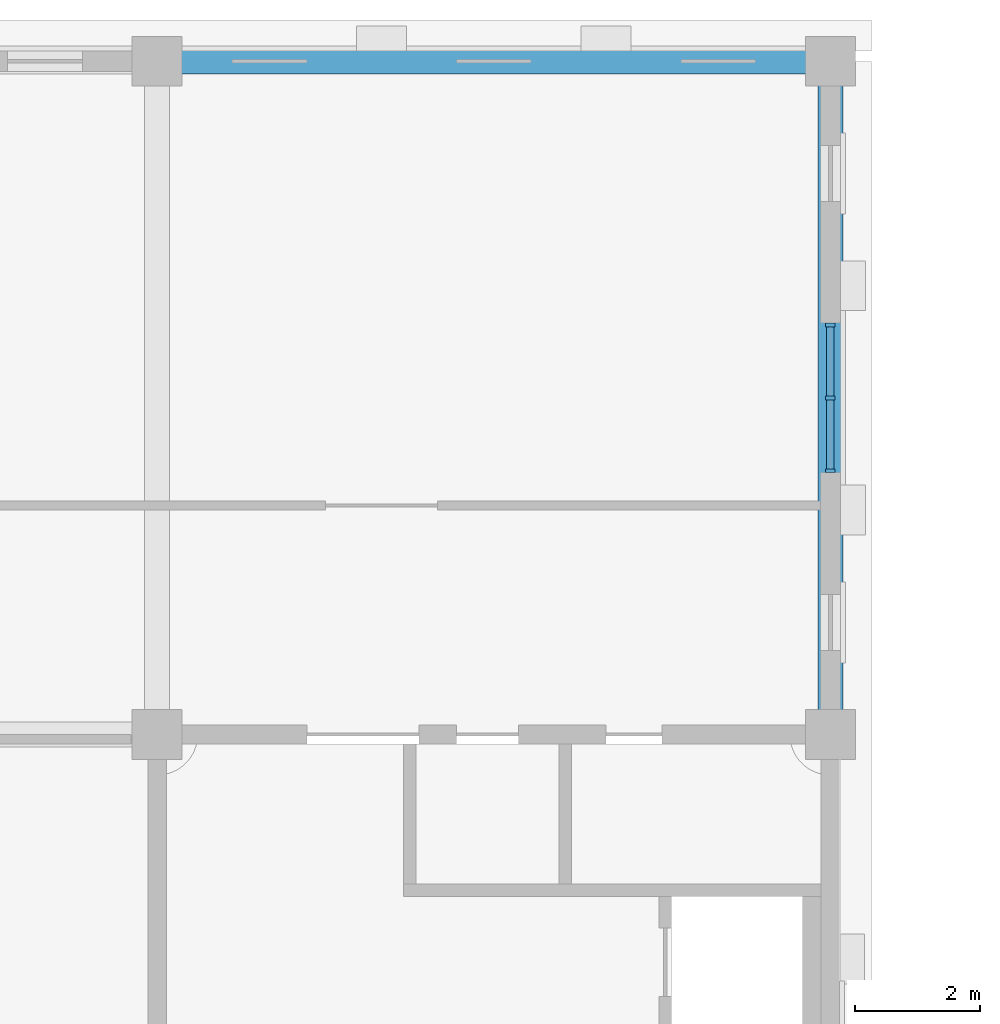
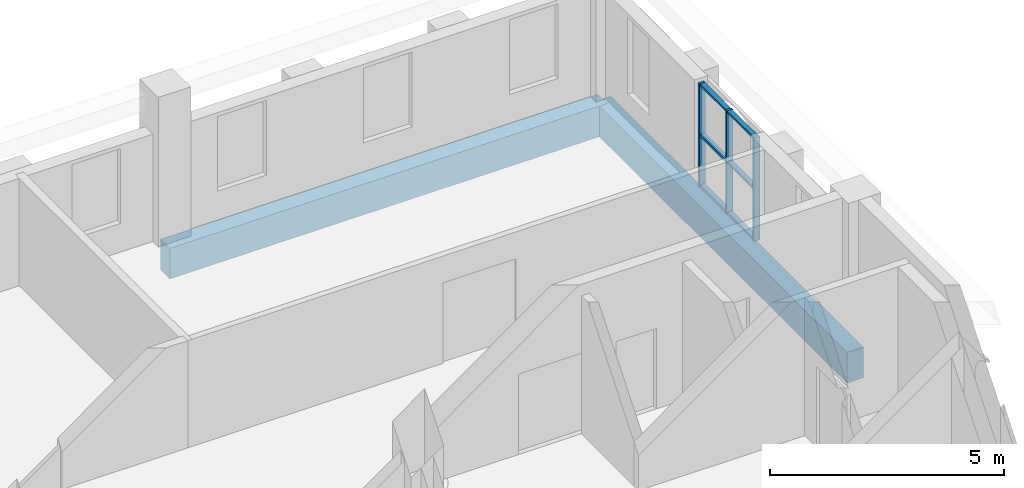
# One storey, part 16 of 42: 9 members, 2 beams, 1 element without a shape of its own.
"""IFC4 building model written with IfcOpenShell, lengths in metres."""

from ifc_helpers import new_model, si_unit, direction, frame, origin, origin_2d, place, context, subcontext, project, spatial, rectangle, extrude, material, layer, layer_set, material_profile, profile_set, type_object, element, aggregate, save


model = new_model("IFC4")

# Units and contexts
model_context = context("Model", 3, precision=1e-05, world=origin(), true_north=direction((0.0, 1.0)))
body_context = subcontext(model_context, "Body", "Model", "MODEL_VIEW")
ifc_project = project(units=[si_unit("LENGTHUNIT", "METRE"), si_unit("AREAUNIT", "SQUARE_METRE"), si_unit("VOLUMEUNIT", "CUBIC_METRE"), si_unit("PLANEANGLEUNIT", "RADIAN"), si_unit("MASSUNIT", "GRAM", prefix="KILO")], contexts=[model_context])

# Site, building, storey
site_placement = place(None, origin())
site = spatial("IfcSite", under=ifc_project, at=site_placement, CompositionType="ELEMENT")
building_placement = place(site_placement, origin())
building = spatial("IfcBuilding", under=site, at=building_placement, Name="Magnolia Steps Interchange", CompositionType="ELEMENT")
storey_placement = place(building_placement, frame((0.0, 0.0, 12.60009765625)))
storey = spatial("IfcBuildingStorey", under=building, at=storey_placement, Name="L03", CompositionType="ELEMENT", Elevation=12.60009765625)

# Curtain wall, members
ifc_material_1 = material(Name="Powder-coated aluminium and glass", Category="aluminium")
ifc_layer = layer(ifc_material_1, 0.199951171875)
ifc_layer_set = layer_set([ifc_layer], Name="Glazed central bay curtain wall")
curtain_wall_type = type_object("IfcCurtainWallType", Name="Glazed central bay curtain wall", PredefinedType="NOTDEFINED", material=ifc_layer_set)
curtain_wall_placement = place(storey_placement, origin())
curtain_wall = element("IfcCurtainWall", 1, at=curtain_wall_placement, inside=storey, type_object=curtain_wall_type, Name="Operations building east wall L03 glazing 2", PredefinedType="NOTDEFINED")
ifc_material_2 = material(Name="White powder-coated aluminium", Category="aluminium")
ifc_material_profile_1 = material_profile(ifc_material_2, rectangle(XDim=0.06005859375, YDim=0.14990234375, at=origin_2d()), Name="Aluminium mullion 60 x 150")
ifc_profile_set_1 = profile_set([ifc_material_profile_1], Name="White powder-coated aluminium")
member_type_1 = type_object("IfcMemberType", Name="Aluminium mullion 60 x 150", PredefinedType="MULLION", material=ifc_profile_set_1)
member_1_placement = place(storey_placement, frame((118.0, 111.429931640625, 0.0), z_axis=(0.0, 0.0, 1.0), x_axis=(0.0, 1.0, 0.0)))
member_1 = element("IfcMember", 2, at=member_1_placement, type_object=member_type_1, Name="CW2 mullion 1", PredefinedType="MULLION", context=body_context, shape_type="SweptSolid", body=[
    extrude(rectangle(XDim=0.06005859375, YDim=0.14990234375, at=origin_2d()), origin(), (0.0, 0.0, 1.0), 2.699951171875),
])
member_2_placement = place(storey_placement, frame((118.0, 112.60009765625, 0.0), z_axis=(0.0, 0.0, 1.0), x_axis=(0.0, 1.0, 0.0)))
member_2 = element("IfcMember", 3, at=member_2_placement, type_object=member_type_1, Name="CW2 mullion 2", PredefinedType="MULLION", context=body_context, shape_type="SweptSolid", body=[
    extrude(rectangle(XDim=0.06005859375, YDim=0.14990234375, at=origin_2d()), origin(), (0.0, 0.0, 1.0), 2.699951171875),
])
member_3_placement = place(storey_placement, frame((118.0, 113.77001953125, 0.0), z_axis=(0.0, 0.0, 1.0), x_axis=(0.0, 1.0, 0.0)))
member_3 = element("IfcMember", 4, at=member_3_placement, type_object=member_type_1, Name="CW2 mullion 3", PredefinedType="MULLION", context=body_context, shape_type="SweptSolid", body=[
    extrude(rectangle(XDim=0.06005859375, YDim=0.14990234375, at=origin_2d()), origin(), (0.0, 0.0, 1.0), 2.699951171875),
])
ifc_material_3 = material(Name="White powder-coated aluminium", Category="aluminium")
ifc_material_profile_2 = material_profile(ifc_material_3, rectangle(XDim=0.06005859375, YDim=0.1201171875, at=origin_2d()), Name="Aluminium transom 60 x 120")
ifc_profile_set_2 = profile_set([ifc_material_profile_2], Name="White powder-coated aluminium")
member_type_2 = type_object("IfcMemberType", Name="Aluminium transom 60 x 120", PredefinedType="USERDEFINED", material=ifc_profile_set_2)
member_4_placement = place(storey_placement, frame((118.0, 111.4599609375, 0.02978515625), z_axis=(0.0, 1.0, 0.0), x_axis=(0.0, 0.0, 1.0)))
member_4 = element("IfcMember", 5, at=member_4_placement, type_object=member_type_2, Name="CW2 transom 1.1", ObjectType="TRANSOM", PredefinedType="USERDEFINED", context=body_context, shape_type="SweptSolid", body=[
    extrude(rectangle(XDim=0.06005859375, YDim=0.1201171875, at=origin_2d()), origin(), (0.0, 0.0, 1.0), 1.110107421875),
])
member_5_placement = place(storey_placement, frame((118.0, 111.4599609375, 1.349853515625), z_axis=(0.0, 1.0, 0.0), x_axis=(0.0, 0.0, 1.0)))
member_5 = element("IfcMember", 6, at=member_5_placement, type_object=member_type_2, Name="CW2 transom 1.2", ObjectType="TRANSOM", PredefinedType="USERDEFINED", context=body_context, shape_type="SweptSolid", body=[
    extrude(rectangle(XDim=0.06005859375, YDim=0.1201171875, at=origin_2d()), origin(), (0.0, 0.0, 1.0), 1.110107421875),
])
member_6_placement = place(storey_placement, frame((118.0, 111.4599609375, 2.669921875), z_axis=(0.0, 1.0, 0.0), x_axis=(0.0, 0.0, 1.0)))
member_6 = element("IfcMember", 7, at=member_6_placement, type_object=member_type_2, Name="CW2 transom 1.3", ObjectType="TRANSOM", PredefinedType="USERDEFINED", context=body_context, shape_type="SweptSolid", body=[
    extrude(rectangle(XDim=0.06005859375, YDim=0.1201171875, at=origin_2d()), origin(), (0.0, 0.0, 1.0), 1.110107421875),
])
member_7_placement = place(storey_placement, frame((118.0, 112.6298828125, 0.02978515625), z_axis=(0.0, 1.0, 0.0), x_axis=(0.0, 0.0, 1.0)))
member_7 = element("IfcMember", 8, at=member_7_placement, type_object=member_type_2, Name="CW2 transom 2.1", ObjectType="TRANSOM", PredefinedType="USERDEFINED", context=body_context, shape_type="SweptSolid", body=[
    extrude(rectangle(XDim=0.06005859375, YDim=0.1201171875, at=origin_2d()), origin(), (0.0, 0.0, 1.0), 1.110107421875),
])
member_8_placement = place(storey_placement, frame((118.0, 112.6298828125, 1.349853515625), z_axis=(0.0, 1.0, 0.0), x_axis=(0.0, 0.0, 1.0)))
member_8 = element("IfcMember", 9, at=member_8_placement, type_object=member_type_2, Name="CW2 transom 2.2", ObjectType="TRANSOM", PredefinedType="USERDEFINED", context=body_context, shape_type="SweptSolid", body=[
    extrude(rectangle(XDim=0.06005859375, YDim=0.1201171875, at=origin_2d()), origin(), (0.0, 0.0, 1.0), 1.110107421875),
])
member_9_placement = place(storey_placement, frame((118.0, 112.6298828125, 2.669921875), z_axis=(0.0, 1.0, 0.0), x_axis=(0.0, 0.0, 1.0)))
member_9 = element("IfcMember", 10, at=member_9_placement, type_object=member_type_2, Name="CW2 transom 2.3", ObjectType="TRANSOM", PredefinedType="USERDEFINED", context=body_context, shape_type="SweptSolid", body=[
    extrude(rectangle(XDim=0.06005859375, YDim=0.1201171875, at=origin_2d()), origin(), (0.0, 0.0, 1.0), 1.110107421875),
])
aggregate(curtain_wall, [member_1, member_2, member_3, member_4, member_5, member_6, member_7, member_8, member_9])

# Beams
ifc_material_4 = material(Name="Concrete C40", Category="concrete")
ifc_material_profile_3 = material_profile(ifc_material_4, rectangle(XDim=0.39990234375, YDim=0.800048828125, at=origin_2d()), Name="RC400x800")
ifc_profile_set_3 = profile_set([ifc_material_profile_3], Name="Concrete C40")
beam_type = type_object("IfcBeamType", Name="RC beam 400x800", PredefinedType="BEAM", material=ifc_profile_set_3)
for number, where, z_axis, x_axis, name in (
    (11, (107.199951171875, 118.0, -0.7001953125), (1.0, 0.0, 0.0), (0.0, 1.0, 0.0), "Beam L03 K 10-11"),
    (12, (118.0, 107.199951171875, -0.7001953125), (0.0, 1.0, 0.0), (-1.0, 0.0, 0.0), "Beam L03 11 J-K"),
):
    element("IfcBeam", number, at=place(storey_placement, frame(where, z_axis=z_axis, x_axis=x_axis)), inside=storey, type_object=beam_type, Name=name, PredefinedType="BEAM", context=body_context, shape_type="SweptSolid", body=[
        extrude(rectangle(XDim=0.39990234375, YDim=0.800048828125, at=origin_2d()), origin(), (0.0, 0.0, 1.0), 10.800048828125),
    ])

save(model, "model.ifc")
